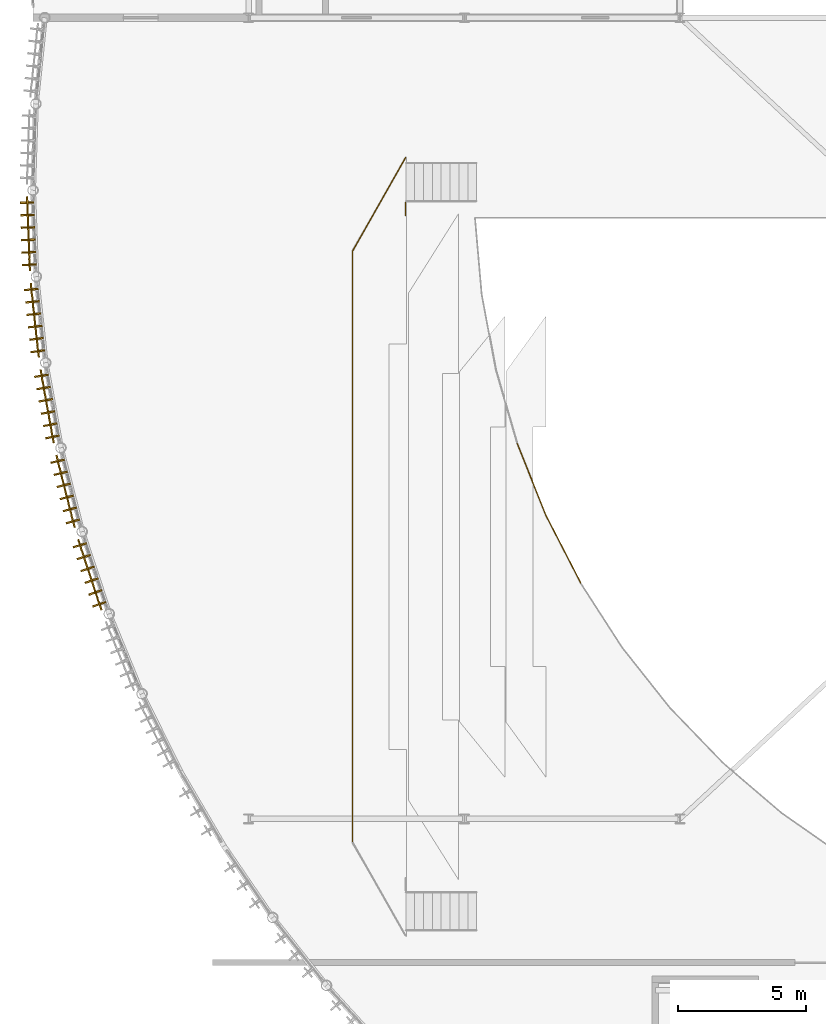
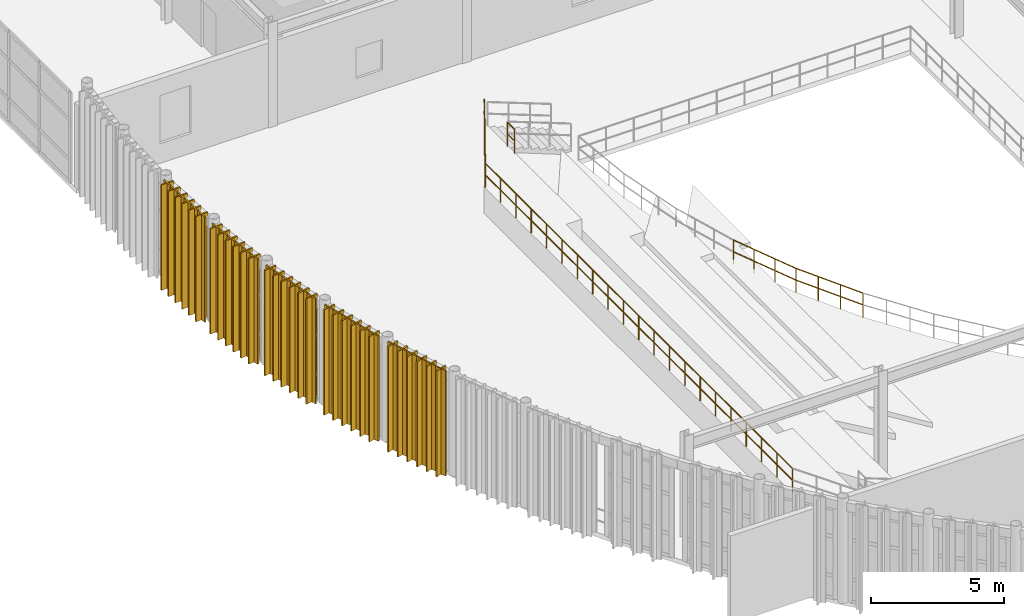
# One storey, part 109 of 116: 30 coverings, 30 shading devices, 5 railings.
"""IFC4 building model written with IfcOpenShell, lengths in metres."""

import ifcopenshell
import ifcopenshell.guid

model = None  # the IFC model being written
_history = None  # IfcOwnerHistory: only IFC2X3 demands one
_inside = {}  # id of a spatial element -> (the spatial element, [elements in it])
_under = {}  # id of a project, library or spatial element -> (it, [spatial elements below it])
_declared = {}  # id of a project -> (the project, [libraries it declares])
_typed = {}  # id of a type object -> (the type object, [elements of that type])
_made_of = {}  # id of a material, layer set ... -> (it, [elements and type objects made of it])


def new_model(schema):
    """Start an empty IFC model of exactly this schema.

    Asked for "IFC4X3", IfcOpenShell would pick the latest addendum, in which some entities
    have other attributes; the version numbers below select the first issue.
    IFC2X3 requires an IfcOwnerHistory on every rooted entity: one is made here for all.
    """
    global model, _history
    if schema == "IFC4X3":
        model = ifcopenshell.file(schema_version=(4, 3, 0, 0))
    else:
        model = ifcopenshell.file(schema=schema)
    _inside.clear()
    _under.clear()
    _declared.clear()
    _typed.clear()
    _made_of.clear()
    _history = None
    if model.schema == "IFC2X3":
        org = make("IfcOrganization", Name="unknown")
        user = make(
            "IfcPersonAndOrganization",
            ThePerson=make("IfcPerson", FamilyName="unknown"),
            TheOrganization=org,
        )
        app = make(
            "IfcApplication",
            ApplicationDeveloper=org,
            Version="unknown",
            ApplicationFullName="unknown",
            ApplicationIdentifier="unknown",
        )
        _history = make(
            "IfcOwnerHistory",
            OwningUser=user,
            OwningApplication=app,
            ChangeAction="ADDED",
            CreationDate=0,
        )
    return model


def make(cls, **values):
    """One entity of the class cls with the attributes given. An attribute that is None is left unset."""
    return model.create_entity(
        cls, **{name: value for name, value in values.items() if value is not None}
    )


def rooted(cls, **values):
    """An entity with a GlobalId (a new one), such as an element, a storey or a relation."""
    return make(cls, GlobalId=ifcopenshell.guid.new(), OwnerHistory=_history, **values)


def si_unit(unit_type, name, prefix=None):
    """IfcSIUnit, for example si_unit("LENGTHUNIT", "METRE", prefix="MILLI")."""
    return make("IfcSIUnit", UnitType=unit_type, Prefix=prefix, Name=name)


def assignment(units):
    """IfcUnitAssignment: the units of a project."""
    return None if units is None else make("IfcUnitAssignment", Units=units)


def point(xyz):
    """IfcCartesianPoint."""
    return None if xyz is None else make("IfcCartesianPoint", Coordinates=xyz)


def direction(xyz):
    """IfcDirection."""
    return None if xyz is None else make("IfcDirection", DirectionRatios=xyz)


def frame(location, z_axis=None, x_axis=None):
    """IfcAxis2Placement3D, a coordinate frame: its origin and axes. An axis left out is left unset."""
    return make(
        "IfcAxis2Placement3D",
        Location=point(location),
        Axis=direction(z_axis),
        RefDirection=direction(x_axis),
    )


def frame_2d(location, x_axis=None):
    """IfcAxis2Placement2D, a coordinate frame in the plane: its origin and x axis."""
    return make(
        "IfcAxis2Placement2D", Location=point(location), RefDirection=direction(x_axis)
    )


def origin():
    """The frame at (0, 0, 0) with its axes left unset."""
    return frame((0.0, 0.0, 0.0))


def origin_2d():
    """The frame at (0, 0) in the plane with its x axis left unset."""
    return frame_2d((0.0, 0.0))


def place(relative_to, where):
    """IfcLocalPlacement: puts the frame where relative to a parent placement (None: the world)."""
    return make(
        "IfcLocalPlacement", PlacementRelTo=relative_to, RelativePlacement=where
    )


def context(
    kind, dimensions, precision=None, world=None, true_north=None, identifier=None
):
    """IfcGeometricRepresentationContext, for example the 3D "Model" context."""
    return make(
        "IfcGeometricRepresentationContext",
        ContextIdentifier=identifier,
        ContextType=kind,
        CoordinateSpaceDimension=dimensions,
        Precision=precision,
        WorldCoordinateSystem=world,
        TrueNorth=true_north,
    )


def subcontext(parent, identifier, kind, view, scale=None):
    """IfcGeometricRepresentationSubContext, for example "Body" below "Model"."""
    return make(
        "IfcGeometricRepresentationSubContext",
        ContextIdentifier=identifier,
        ContextType=kind,
        ParentContext=parent,
        TargetScale=scale,
        TargetView=view,
    )


def project(units=None, contexts=None):
    """IfcProject with its units and contexts."""
    return rooted(
        "IfcProject",
        Name="project",
        RepresentationContexts=contexts,
        UnitsInContext=assignment(units),
    )


def spatial(cls, under=None, at=None, **own):
    """A site, building, storey or space (cls), placed at a placement, below another one or the project."""
    s = rooted(cls, ObjectPlacement=at, **own)
    if under is not None:
        _under.setdefault(under.id(), (under, []))[1].append(s)
    return s


def polyline(points):
    """IfcPolyline through the points."""
    return make("IfcPolyline", Points=[point(p) for p in points])


def profile(cls, at=None, kind="AREA", **sizes):
    """A parametric profile (cls). Its sizes go by their IFC names, for example OverallWidth=200.0."""
    return make(cls, ProfileType=kind, Position=at, **sizes)


def rectangle(**sizes):
    """IfcRectangleProfileDef."""
    return profile("IfcRectangleProfileDef", **sizes)


def circle(**sizes):
    """IfcCircleProfileDef."""
    return profile("IfcCircleProfileDef", **sizes)


def outline(outer, holes=None, kind="AREA"):
    """IfcArbitraryClosedProfileDef: a profile drawn as a closed curve; with holes, ...WithVoids."""
    if holes is None:
        return make("IfcArbitraryClosedProfileDef", ProfileType=kind, OuterCurve=outer)
    return make(
        "IfcArbitraryProfileDefWithVoids",
        ProfileType=kind,
        OuterCurve=outer,
        InnerCurves=holes,
    )


def extrude(swept, where, along, depth):
    """IfcExtrudedAreaSolid: the profile swept, set in the frame where, extruded along a direction by depth."""
    return make(
        "IfcExtrudedAreaSolid",
        SweptArea=swept,
        Position=where,
        ExtrudedDirection=direction(along),
        Depth=depth,
    )


def shape(context_of_items, identifier, shape_type, items):
    """IfcShapeRepresentation: the items that make up one representation, for example the "Body"."""
    return make(
        "IfcShapeRepresentation",
        ContextOfItems=context_of_items,
        RepresentationIdentifier=identifier,
        RepresentationType=shape_type,
        Items=items,
    )


def material(Name=None, Category=None):
    """IfcMaterial."""
    return make("IfcMaterial", Name=Name, Category=Category)


def layer(
    of_material, thickness, ventilated=None, Name=None, Category=None, Priority=None
):
    """IfcMaterialLayer: one layer of a wall or slab, of a material (None: an air gap)."""
    return make(
        "IfcMaterialLayer",
        Material=of_material,
        LayerThickness=thickness,
        IsVentilated=ventilated,
        Name=Name,
        Category=Category,
        Priority=Priority,
    )


def layer_set(layers, Name=None):
    """IfcMaterialLayerSet."""
    return make("IfcMaterialLayerSet", MaterialLayers=layers, LayerSetName=Name)


def material_profile(
    of_material, cross_section, Name=None, Category=None, Priority=None
):
    """IfcMaterialProfile: a cross section and its material."""
    return make(
        "IfcMaterialProfile",
        Name=Name,
        Material=of_material,
        Profile=cross_section,
        Priority=Priority,
        Category=Category,
    )


def profile_set(profiles, Name=None, composite=None):
    """IfcMaterialProfileSet."""
    return make(
        "IfcMaterialProfileSet",
        Name=Name,
        MaterialProfiles=profiles,
        CompositeProfile=composite,
    )


def made_of(thing, what):
    """Note that an element or type object is made of a material, layer set ...; save() writes the relation."""
    if what is not None:
        _made_of.setdefault(what.id(), (what, []))[1].append(thing)
    return thing


def type_object(cls, material=None, **own):
    """A type object (cls), such as IfcWallType, which elements share."""
    return made_of(rooted(cls, **own), material)


def element(
    cls,
    number,
    at=None,
    inside=None,
    cuts=None,
    type_object=None,
    material=None,
    context=None,
    identifier="Body",
    shape_type=None,
    held_by="IfcProductDefinitionShape",
    body=None,
    shapes=None,
    **own,
):
    """One element of the class cls, such as IfcWall. Its Tag is "e" and its number.

    at: its placement. inside: the storey or other place that contains it. cuts: it is an
    opening in that element (IfcRelVoidsElement). A single representation is given by context,
    identifier, shape_type and body (its items); several are given by shapes. held_by: the class
    of the entity that holds the representations. save() writes the other relations.
    """
    e = rooted(cls, Tag="e%d" % number, ObjectPlacement=at, **own)
    if body is not None:
        shapes = [shape(context, identifier, shape_type, body)]
    if shapes is not None:
        e.Representation = make(held_by, Representations=shapes)
    if inside is not None:
        _inside.setdefault(inside.id(), (inside, []))[1].append(e)
    if cuts is not None:
        rooted(
            "IfcRelVoidsElement", RelatingBuildingElement=cuts, RelatedOpeningElement=e
        )
    if type_object is not None:
        _typed.setdefault(type_object.id(), (type_object, []))[1].append(e)
    return made_of(e, material)


def aggregate(whole, parts):
    """IfcRelAggregates: a whole, such as a stair, and the parts it consists of."""
    return rooted("IfcRelAggregates", RelatingObject=whole, RelatedObjects=parts)


def save(model, path):
    """Write the relations noted so far, then the file.

    IfcRelAggregates (storeys below a building ...), IfcRelContainedInSpatialStructure (elements
    in a storey), IfcRelDefinesByType, IfcRelAssociatesMaterial and IfcRelDeclares: one each for
    every whole, place, type object, material and project.
    """
    for whole, parts in _under.values():
        aggregate(whole, parts)
    for where, things in _inside.values():
        rooted(
            "IfcRelContainedInSpatialStructure",
            RelatedElements=things,
            RelatingStructure=where,
        )
    for kind, things in _typed.values():
        rooted("IfcRelDefinesByType", RelatedObjects=things, RelatingType=kind)
    for what, things in _made_of.values():
        rooted("IfcRelAssociatesMaterial", RelatedObjects=things, RelatingMaterial=what)
    for by, libraries in _declared.values():
        rooted("IfcRelDeclares", RelatingContext=by, RelatedDefinitions=libraries)
    model.write(path)


model = new_model("IFC4")

# Units and contexts
model_context = context("Model", 3, precision=1e-05, world=origin(), true_north=direction((0.0, 1.0)))
body_context = subcontext(model_context, "Body", "Model", "MODEL_VIEW")
ifc_project = project(units=[si_unit("LENGTHUNIT", "METRE"), si_unit("AREAUNIT", "SQUARE_METRE"), si_unit("VOLUMEUNIT", "CUBIC_METRE"), si_unit("PLANEANGLEUNIT", "RADIAN"), si_unit("MASSUNIT", "GRAM", prefix="KILO")], contexts=[model_context])

# Site, building, storey
site_placement = place(None, origin())
site = spatial("IfcSite", under=ifc_project, at=site_placement, CompositionType="ELEMENT")
building_placement = place(site_placement, origin())
building = spatial("IfcBuilding", under=site, at=building_placement, Name="Selat Folded Stagehouse", CompositionType="ELEMENT")
storey_placement = place(building_placement, frame((0.0, 0.0, 5.39990234375)))
storey = spatial("IfcBuildingStorey", under=building, at=storey_placement, Name="L01", CompositionType="ELEMENT", Elevation=5.39990234375)

# Coverings
ifc_material_1 = material(Name="Bronze-anodised aluminium 6063-T6", Category="aluminium")
ifc_layer_1 = layer(ifc_material_1, 0.06201171875)
ifc_layer_set_1 = layer_set([ifc_layer_1], Name="Bronze-anodised aluminium 6063-T6")
covering_type = type_object("IfcCoveringType", Name="COV-FIN-BRZ48", PredefinedType="CLADDING", material=ifc_layer_set_1)
covering_1_placement = place(storey_placement, frame((0.0, 0.0, -0.099853515625)))
element("IfcCovering", 1, at=covering_1_placement, inside=storey, type_object=covering_type, Name="L01 drum bronze fin cladding sheath 068", PredefinedType="CLADDING", context=body_context, shape_type="SweptSolid", body=[
    extrude(outline(polyline([(0.037841796875, 47.432861328125), (-0.502197265625, 47.42626953125), (-0.50146484375, 47.3623046875), (0.03857421875, 47.368896484375), (0.037841796875, 47.432861328125)])), origin(), (0.0, 0.0, 1.0), 4.820068359375),
])
covering_2_placement = place(storey_placement, frame((0.0, 0.0, -0.099853515625)))
element("IfcCovering", 2, at=covering_2_placement, inside=storey, type_object=covering_type, Name="L01 drum bronze fin cladding sheath 074", PredefinedType="CLADDING", context=body_context, shape_type="SweptSolid", body=[
    extrude(outline(polyline([(0.055419921875, 46.9521484375), (-0.484375, 46.93994140625), (-0.48291015625, 46.8759765625), (0.056884765625, 46.88818359375), (0.055419921875, 46.9521484375)])), origin(), (0.0, 0.0, 1.0), 4.820068359375),
])
covering_3_placement = place(storey_placement, frame((0.0, 0.0, -0.099853515625)))
element("IfcCovering", 3, at=covering_3_placement, inside=storey, type_object=covering_type, Name="L01 drum bronze fin cladding sheath 080", PredefinedType="CLADDING", context=body_context, shape_type="SweptSolid", body=[
    extrude(outline(polyline([(0.0732421875, 46.471435546875), (-0.46630859375, 46.453857421875), (-0.46435546875, 46.389892578125), (0.075439453125, 46.407470703125), (0.0732421875, 46.471435546875)])), origin(), (0.0, 0.0, 1.0), 4.820068359375),
])
covering_4_placement = place(storey_placement, frame((0.0, 0.0, -0.099853515625)))
element("IfcCovering", 4, at=covering_4_placement, inside=storey, type_object=covering_type, Name="L01 drum bronze fin cladding sheath 086", PredefinedType="CLADDING", context=body_context, shape_type="SweptSolid", body=[
    extrude(outline(polyline([(0.091064453125, 45.99072265625), (-0.448486328125, 45.9677734375), (-0.44580078125, 45.90380859375), (0.09375, 45.9267578125), (0.091064453125, 45.99072265625)])), origin(), (0.0, 0.0, 1.0), 4.820068359375),
])
covering_5_placement = place(storey_placement, frame((0.0, 0.0, -0.099853515625)))
element("IfcCovering", 5, at=covering_5_placement, inside=storey, type_object=covering_type, Name="L01 drum bronze fin cladding sheath 092", PredefinedType="CLADDING", context=body_context, shape_type="SweptSolid", body=[
    extrude(outline(polyline([(0.10888671875, 45.510009765625), (-0.430419921875, 45.4814453125), (-0.427001953125, 45.41748046875), (0.1123046875, 45.446044921875), (0.10888671875, 45.510009765625)])), origin(), (0.0, 0.0, 1.0), 4.820068359375),
])
covering_6_placement = place(storey_placement, frame((0.0, 0.0, -0.099853515625)))
element("IfcCovering", 6, at=covering_6_placement, inside=storey, type_object=covering_type, Name="L01 drum bronze fin cladding sheath 098", PredefinedType="CLADDING", context=body_context, shape_type="SweptSolid", body=[
    extrude(outline(polyline([(0.126708984375, 45.029052734375), (-0.412353515625, 44.995361328125), (-0.408447265625, 44.931396484375), (0.130615234375, 44.96533203125), (0.126708984375, 45.029052734375)])), origin(), (0.0, 0.0, 1.0), 4.820068359375),
])
covering_7_placement = place(storey_placement, frame((0.0, 0.0, -0.099853515625)))
element("IfcCovering", 7, at=covering_7_placement, inside=storey, type_object=covering_type, Name="L01 drum bronze fin cladding sheath 104", PredefinedType="CLADDING", context=body_context, shape_type="SweptSolid", body=[
    extrude(outline(polyline([(0.19580078125, 44.070068359375), (-0.34228515625, 44.025390625), (-0.337158203125, 43.961669921875), (0.200927734375, 44.00634765625), (0.19580078125, 44.070068359375)])), origin(), (0.0, 0.0, 1.0), 4.820068359375),
])
covering_8_placement = place(storey_placement, frame((0.0, 0.0, -0.099853515625)))
element("IfcCovering", 8, at=covering_8_placement, inside=storey, type_object=covering_type, Name="L01 drum bronze fin cladding sheath 110", PredefinedType="CLADDING", context=body_context, shape_type="SweptSolid", body=[
    extrude(outline(polyline([(0.247314453125, 43.591796875), (-0.29052734375, 43.541748046875), (-0.28466796875, 43.47802734375), (0.253173828125, 43.528076171875), (0.247314453125, 43.591796875)])), origin(), (0.0, 0.0, 1.0), 4.820068359375),
])
covering_9_placement = place(storey_placement, frame((0.0, 0.0, -0.099853515625)))
element("IfcCovering", 9, at=covering_9_placement, inside=storey, type_object=covering_type, Name="L01 drum bronze fin cladding sheath 116", PredefinedType="CLADDING", context=body_context, shape_type="SweptSolid", body=[
    extrude(outline(polyline([(0.298583984375, 43.11328125), (-0.238525390625, 43.05810546875), (-0.23193359375, 42.994384765625), (0.30517578125, 43.0498046875), (0.298583984375, 43.11328125)])), origin(), (0.0, 0.0, 1.0), 4.820068359375),
])
covering_10_placement = place(storey_placement, frame((0.0, 0.0, -0.099853515625)))
element("IfcCovering", 10, at=covering_10_placement, inside=storey, type_object=covering_type, Name="L01 drum bronze fin cladding sheath 122", PredefinedType="CLADDING", context=body_context, shape_type="SweptSolid", body=[
    extrude(outline(polyline([(0.35009765625, 42.635009765625), (-0.1865234375, 42.57421875), (-0.17919921875, 42.5107421875), (0.357421875, 42.571533203125), (0.35009765625, 42.635009765625)])), origin(), (0.0, 0.0, 1.0), 4.820068359375),
])
covering_11_placement = place(storey_placement, frame((0.0, 0.0, -0.099853515625)))
element("IfcCovering", 11, at=covering_11_placement, inside=storey, type_object=covering_type, Name="L01 drum bronze fin cladding sheath 128", PredefinedType="CLADDING", context=body_context, shape_type="SweptSolid", body=[
    extrude(outline(polyline([(0.401611328125, 42.15673828125), (-0.134521484375, 42.090576171875), (-0.126708984375, 42.027099609375), (0.4091796875, 42.09326171875), (0.401611328125, 42.15673828125)])), origin(), (0.0, 0.0, 1.0), 4.820068359375),
])
covering_12_placement = place(storey_placement, frame((0.0, 0.0, -0.099853515625)))
element("IfcCovering", 12, at=covering_12_placement, inside=storey, type_object=covering_type, Name="L01 drum bronze fin cladding sheath 134", PredefinedType="CLADDING", context=body_context, shape_type="SweptSolid", body=[
    extrude(outline(polyline([(0.452880859375, 41.678466796875), (-0.082275390625, 41.606689453125), (-0.073974609375, 41.54345703125), (0.46142578125, 41.614990234375), (0.452880859375, 41.678466796875)])), origin(), (0.0, 0.0, 1.0), 4.820068359375),
])
covering_13_placement = place(storey_placement, frame((0.0, 0.0, -0.099853515625)))
element("IfcCovering", 13, at=covering_13_placement, inside=storey, type_object=covering_type, Name="L01 drum bronze fin cladding sheath 140", PredefinedType="CLADDING", context=body_context, shape_type="SweptSolid", body=[
    extrude(outline(polyline([(0.589111328125, 40.7265625), (0.055419921875, 40.644287109375), (0.065185546875, 40.5810546875), (0.598876953125, 40.6630859375), (0.589111328125, 40.7265625)])), origin(), (0.0, 0.0, 1.0), 4.820068359375),
])
covering_14_placement = place(storey_placement, frame((0.0, 0.0, -0.099853515625)))
element("IfcCovering", 14, at=covering_14_placement, inside=storey, type_object=covering_type, Name="L01 drum bronze fin cladding sheath 146", PredefinedType="CLADDING", context=body_context, shape_type="SweptSolid", body=[
    extrude(outline(polyline([(0.674072265625, 40.2529296875), (0.14111328125, 40.165283203125), (0.151611328125, 40.102294921875), (0.684326171875, 40.189697265625), (0.674072265625, 40.2529296875)])), origin(), (0.0, 0.0, 1.0), 4.820068359375),
])
covering_15_placement = place(storey_placement, frame((0.0, 0.0, -0.099853515625)))
element("IfcCovering", 15, at=covering_15_placement, inside=storey, type_object=covering_type, Name="L01 drum bronze fin cladding sheath 152", PredefinedType="CLADDING", context=body_context, shape_type="SweptSolid", body=[
    extrude(outline(polyline([(0.7587890625, 39.779296875), (0.22705078125, 39.6865234375), (0.238037109375, 39.623291015625), (0.77001953125, 39.71630859375), (0.7587890625, 39.779296875)])), origin(), (0.0, 0.0, 1.0), 4.820068359375),
])
covering_16_placement = place(storey_placement, frame((0.0, 0.0, -0.099853515625)))
element("IfcCovering", 16, at=covering_16_placement, inside=storey, type_object=covering_type, Name="L01 drum bronze fin cladding sheath 158", PredefinedType="CLADDING", context=body_context, shape_type="SweptSolid", body=[
    extrude(outline(polyline([(0.84375, 39.305908203125), (0.312744140625, 39.20751953125), (0.324462890625, 39.144775390625), (0.85546875, 39.242919921875), (0.84375, 39.305908203125)])), origin(), (0.0, 0.0, 1.0), 4.820068359375),
])
covering_17_placement = place(storey_placement, frame((0.0, 0.0, -0.099853515625)))
element("IfcCovering", 17, at=covering_17_placement, inside=storey, type_object=covering_type, Name="L01 drum bronze fin cladding sheath 164", PredefinedType="CLADDING", context=body_context, shape_type="SweptSolid", body=[
    extrude(outline(polyline([(0.9287109375, 38.832275390625), (0.398681640625, 38.728759765625), (0.410888671875, 38.666015625), (0.94091796875, 38.76953125), (0.9287109375, 38.832275390625)])), origin(), (0.0, 0.0, 1.0), 4.820068359375),
])
covering_18_placement = place(storey_placement, frame((0.0, 0.0, -0.099853515625)))
element("IfcCovering", 18, at=covering_18_placement, inside=storey, type_object=covering_type, Name="L01 drum bronze fin cladding sheath 170", PredefinedType="CLADDING", context=body_context, shape_type="SweptSolid", body=[
    extrude(outline(polyline([(1.013427734375, 38.35888671875), (0.484619140625, 38.25), (0.497314453125, 38.187255859375), (1.0263671875, 38.296142578125), (1.013427734375, 38.35888671875)])), origin(), (0.0, 0.0, 1.0), 4.820068359375),
])
covering_19_placement = place(storey_placement, frame((0.0, 0.0, -0.099853515625)))
element("IfcCovering", 19, at=covering_19_placement, inside=storey, type_object=covering_type, Name="L01 drum bronze fin cladding sheath 176", PredefinedType="CLADDING", context=body_context, shape_type="SweptSolid", body=[
    extrude(outline(polyline([(1.216064453125, 37.418701171875), (0.689453125, 37.29931640625), (0.70361328125, 37.23681640625), (1.230224609375, 37.3564453125), (1.216064453125, 37.418701171875)])), origin(), (0.0, 0.0, 1.0), 4.820068359375),
])
covering_20_placement = place(storey_placement, frame((0.0, 0.0, -0.099853515625)))
element("IfcCovering", 20, at=covering_20_placement, inside=storey, type_object=covering_type, Name="L01 drum bronze fin cladding sheath 182", PredefinedType="CLADDING", context=body_context, shape_type="SweptSolid", body=[
    extrude(outline(polyline([(1.333984375, 36.952392578125), (0.80859375, 36.82763671875), (0.823486328125, 36.765380859375), (1.348876953125, 36.89013671875), (1.333984375, 36.952392578125)])), origin(), (0.0, 0.0, 1.0), 4.820068359375),
])
covering_21_placement = place(storey_placement, frame((0.0, 0.0, -0.099853515625)))
element("IfcCovering", 21, at=covering_21_placement, inside=storey, type_object=covering_type, Name="L01 drum bronze fin cladding sheath 188", PredefinedType="CLADDING", context=body_context, shape_type="SweptSolid", body=[
    extrude(outline(polyline([(1.451904296875, 36.48583984375), (0.927734375, 36.35595703125), (0.943115234375, 36.293701171875), (1.46728515625, 36.423828125), (1.451904296875, 36.48583984375)])), origin(), (0.0, 0.0, 1.0), 4.820068359375),
])
covering_22_placement = place(storey_placement, frame((0.0, 0.0, -0.099853515625)))
element("IfcCovering", 22, at=covering_22_placement, inside=storey, type_object=covering_type, Name="L01 drum bronze fin cladding sheath 194", PredefinedType="CLADDING", context=body_context, shape_type="SweptSolid", body=[
    extrude(outline(polyline([(1.569580078125, 36.01953125), (1.046875, 35.88427734375), (1.06298828125, 35.822265625), (1.585693359375, 35.95751953125), (1.569580078125, 36.01953125)])), origin(), (0.0, 0.0, 1.0), 4.820068359375),
])
covering_23_placement = place(storey_placement, frame((0.0, 0.0, -0.099853515625)))
element("IfcCovering", 23, at=covering_23_placement, inside=storey, type_object=covering_type, Name="L01 drum bronze fin cladding sheath 200", PredefinedType="CLADDING", context=body_context, shape_type="SweptSolid", body=[
    extrude(outline(polyline([(1.6875, 35.552978515625), (1.166259765625, 35.41259765625), (1.182861328125, 35.350830078125), (1.7041015625, 35.4912109375), (1.6875, 35.552978515625)])), origin(), (0.0, 0.0, 1.0), 4.820068359375),
])
covering_24_placement = place(storey_placement, frame((0.0, 0.0, -0.099853515625)))
element("IfcCovering", 24, at=covering_24_placement, inside=storey, type_object=covering_type, Name="L01 drum bronze fin cladding sheath 206", PredefinedType="CLADDING", context=body_context, shape_type="SweptSolid", body=[
    extrude(outline(polyline([(1.805419921875, 35.086669921875), (1.285400390625, 34.94091796875), (1.302734375, 34.87939453125), (1.82275390625, 35.02490234375), (1.805419921875, 35.086669921875)])), origin(), (0.0, 0.0, 1.0), 4.820068359375),
])
covering_25_placement = place(storey_placement, frame((0.0, 0.0, -0.099853515625)))
element("IfcCovering", 25, at=covering_25_placement, inside=storey, type_object=covering_type, Name="L01 drum bronze fin cladding sheath 212", PredefinedType="CLADDING", context=body_context, shape_type="SweptSolid", body=[
    extrude(outline(polyline([(2.073486328125, 34.1630859375), (1.556640625, 34.007080078125), (1.5751953125, 33.94580078125), (2.092041015625, 34.101806640625), (2.073486328125, 34.1630859375)])), origin(), (0.0, 0.0, 1.0), 4.820068359375),
])
covering_26_placement = place(storey_placement, frame((0.0, 0.0, -0.099853515625)))
element("IfcCovering", 26, at=covering_26_placement, inside=storey, type_object=covering_type, Name="L01 drum bronze fin cladding sheath 218", PredefinedType="CLADDING", context=body_context, shape_type="SweptSolid", body=[
    extrude(outline(polyline([(2.223876953125, 33.706298828125), (1.70849609375, 33.544921875), (1.7275390625, 33.48388671875), (2.242919921875, 33.64501953125), (2.223876953125, 33.706298828125)])), origin(), (0.0, 0.0, 1.0), 4.820068359375),
])
covering_27_placement = place(storey_placement, frame((0.0, 0.0, -0.099853515625)))
element("IfcCovering", 27, at=covering_27_placement, inside=storey, type_object=covering_type, Name="L01 drum bronze fin cladding sheath 224", PredefinedType="CLADDING", context=body_context, shape_type="SweptSolid", body=[
    extrude(outline(polyline([(2.3740234375, 33.249267578125), (1.8603515625, 33.082763671875), (1.880126953125, 33.02197265625), (2.393798828125, 33.188232421875), (2.3740234375, 33.249267578125)])), origin(), (0.0, 0.0, 1.0), 4.820068359375),
])
covering_28_placement = place(storey_placement, frame((0.0, 0.0, -0.099853515625)))
element("IfcCovering", 28, at=covering_28_placement, inside=storey, type_object=covering_type, Name="L01 drum bronze fin cladding sheath 230", PredefinedType="CLADDING", context=body_context, shape_type="SweptSolid", body=[
    extrude(outline(polyline([(2.5244140625, 32.792236328125), (2.012451171875, 32.62060546875), (2.03271484375, 32.559814453125), (2.544921875, 32.7314453125), (2.5244140625, 32.792236328125)])), origin(), (0.0, 0.0, 1.0), 4.820068359375),
])
covering_29_placement = place(storey_placement, frame((0.0, 0.0, -0.099853515625)))
element("IfcCovering", 29, at=covering_29_placement, inside=storey, type_object=covering_type, Name="L01 drum bronze fin cladding sheath 236", PredefinedType="CLADDING", context=body_context, shape_type="SweptSolid", body=[
    extrude(outline(polyline([(2.6748046875, 32.335205078125), (2.16455078125, 32.158447265625), (2.185302734375, 32.097900390625), (2.69580078125, 32.274658203125), (2.6748046875, 32.335205078125)])), origin(), (0.0, 0.0, 1.0), 4.820068359375),
])
covering_30_placement = place(storey_placement, frame((0.0, 0.0, -0.099853515625)))
element("IfcCovering", 30, at=covering_30_placement, inside=storey, type_object=covering_type, Name="L01 drum bronze fin cladding sheath 242", PredefinedType="CLADDING", context=body_context, shape_type="SweptSolid", body=[
    extrude(outline(polyline([(2.824951171875, 31.878173828125), (2.31640625, 31.6962890625), (2.338134765625, 31.635986328125), (2.8466796875, 31.81787109375), (2.824951171875, 31.878173828125)])), origin(), (0.0, 0.0, 1.0), 4.820068359375),
])

# Railings
ifc_material_2 = material(Name="Bronze-anodised steel balustrade", Category="steel")
ifc_layer_2 = layer(ifc_material_2, 0.06494140625)
ifc_layer_set_2 = layer_set([ifc_layer_2], Name="Bronze-anodised steel balustrade")
railing_type = type_object("IfcRailingType", Name="RLG-BAL-1120", PredefinedType="BALUSTRADE", material=ifc_layer_set_2)
railing_1_placement = place(storey_placement, frame((12.449951171875, 22.486083984375, 1.215087890625)))
element("IfcRailing", 31, at=railing_1_placement, inside=storey, type_object=railing_type, Name="L01 protective guard railing 017", PredefinedType="BALUSTRADE", context=body_context, shape_type="SweptSolid", body=[
    extrude(circle(Radius=0.02392578125, at=origin_2d()), frame((0.0, 0.0, 1.09619140625), z_axis=(0.0, 1.0, 0.0), x_axis=(-1.0, 0.0, 0.0)), (0.0, 0.0, 1.0), 23.02783203125),
    extrude(circle(Radius=0.02392578125, at=origin_2d()), frame((0.0, 0.0, 0.56005859375), z_axis=(0.0, 1.0, 0.0), x_axis=(-1.0, 0.0, 0.0)), (0.0, 0.0, 1.0), 23.02783203125),
    extrude(circle(Radius=0.02099609375, at=origin_2d()), origin(), (0.0, 0.0, 1.0), 1.072021484375),
    extrude(circle(Radius=0.02099609375, at=origin_2d()), frame((0.0, 1.1513671875, 0.0)), (0.0, 0.0, 1.0), 1.072021484375),
    extrude(circle(Radius=0.02099609375, at=origin_2d()), frame((0.0, 2.302734375, 0.0)), (0.0, 0.0, 1.0), 1.072021484375),
    extrude(circle(Radius=0.02099609375, at=origin_2d()), frame((0.0, 3.4541015625, 0.0)), (0.0, 0.0, 1.0), 1.072021484375),
    extrude(circle(Radius=0.02099609375, at=origin_2d()), frame((0.0, 4.60546875, 0.0)), (0.0, 0.0, 1.0), 1.072021484375),
    extrude(circle(Radius=0.02099609375, at=origin_2d()), frame((0.0, 5.7568359375, 0.0)), (0.0, 0.0, 1.0), 1.072021484375),
    extrude(circle(Radius=0.02099609375, at=origin_2d()), frame((0.0, 6.908447265625, 0.0)), (0.0, 0.0, 1.0), 1.072021484375),
    extrude(circle(Radius=0.02099609375, at=origin_2d()), frame((0.0, 8.059814453125, 0.0)), (0.0, 0.0, 1.0), 1.072021484375),
    extrude(circle(Radius=0.02099609375, at=origin_2d()), frame((0.0, 9.211181640625, 0.0)), (0.0, 0.0, 1.0), 1.072021484375),
    extrude(circle(Radius=0.02099609375, at=origin_2d()), frame((0.0, 10.362548828125, 0.0)), (0.0, 0.0, 1.0), 1.072021484375),
    extrude(circle(Radius=0.02099609375, at=origin_2d()), frame((0.0, 11.513916015625, 0.0)), (0.0, 0.0, 1.0), 1.072021484375),
    extrude(circle(Radius=0.02099609375, at=origin_2d()), frame((0.0, 12.665283203125, 0.0)), (0.0, 0.0, 1.0), 1.072021484375),
    extrude(circle(Radius=0.02099609375, at=origin_2d()), frame((0.0, 13.816650390625, 0.0)), (0.0, 0.0, 1.0), 1.072021484375),
    extrude(circle(Radius=0.02099609375, at=origin_2d()), frame((0.0, 14.968017578125, 0.0)), (0.0, 0.0, 1.0), 1.072021484375),
    extrude(circle(Radius=0.02099609375, at=origin_2d()), frame((0.0, 16.119384765625, 0.0)), (0.0, 0.0, 1.0), 1.072021484375),
    extrude(circle(Radius=0.02099609375, at=origin_2d()), frame((0.0, 17.27099609375, 0.0)), (0.0, 0.0, 1.0), 1.072021484375),
    extrude(circle(Radius=0.02099609375, at=origin_2d()), frame((0.0, 18.42236328125, 0.0)), (0.0, 0.0, 1.0), 1.072021484375),
    extrude(circle(Radius=0.02099609375, at=origin_2d()), frame((0.0, 19.57373046875, 0.0)), (0.0, 0.0, 1.0), 1.072021484375),
    extrude(circle(Radius=0.02099609375, at=origin_2d()), frame((0.0, 20.72509765625, 0.0)), (0.0, 0.0, 1.0), 1.072021484375),
    extrude(circle(Radius=0.02099609375, at=origin_2d()), frame((0.0, 21.87646484375, 0.0)), (0.0, 0.0, 1.0), 1.072021484375),
    extrude(circle(Radius=0.02099609375, at=origin_2d()), frame((0.0, 23.02783203125, 0.0)), (0.0, 0.0, 1.0), 1.072021484375),
])
railing_2_placement = place(storey_placement, frame((12.449951171875, 45.513916015625, 1.215087890625)))
element("IfcRailing", 32, at=railing_2_placement, inside=storey, type_object=railing_type, Name="L01 protective guard railing 018", PredefinedType="BALUSTRADE", context=body_context, shape_type="SweptSolid", body=[
    extrude(circle(Radius=0.02392578125, at=origin_2d()), frame((0.0, 0.0, 1.09619140625), z_axis=(0.492952135797, 0.870056430247, 0.0), x_axis=(-0.870056430247, 0.492952135797, 0.0)), (0.0, 0.0, 1.0), 4.178955078125),
    extrude(circle(Radius=0.02392578125, at=origin_2d()), frame((0.0, 0.0, 0.56005859375), z_axis=(0.492952135797, 0.870056430247, 0.0), x_axis=(-0.870056430247, 0.492952135797, 0.0)), (0.0, 0.0, 1.0), 4.178955078125),
    extrude(circle(Radius=0.02099609375, at=origin_2d()), origin(), (0.0, 0.0, 1.0), 1.072021484375),
    extrude(circle(Radius=0.02099609375, at=origin_2d()), frame((0.51513671875, 0.908935546875, 0.0)), (0.0, 0.0, 1.0), 1.072021484375),
    extrude(circle(Radius=0.02099609375, at=origin_2d()), frame((1.030029296875, 1.81787109375, 0.0)), (0.0, 0.0, 1.0), 1.072021484375),
    extrude(circle(Radius=0.02099609375, at=origin_2d()), frame((1.544921875, 2.72705078125, 0.0)), (0.0, 0.0, 1.0), 1.072021484375),
    extrude(circle(Radius=0.02099609375, at=origin_2d()), frame((2.06005859375, 3.635986328125, 0.0)), (0.0, 0.0, 1.0), 1.072021484375),
])
railing_3_placement = place(storey_placement, frame((14.510009765625, 46.89990234375, 1.215087890625)))
element("IfcRailing", 33, at=railing_3_placement, inside=storey, type_object=railing_type, Name="L01 protective guard railing 020", PredefinedType="BALUSTRADE", context=body_context, shape_type="SweptSolid", body=[
    extrude(circle(Radius=0.02392578125, at=origin_2d()), frame((0.0, 0.0, 1.09619140625), z_axis=(0.0, 1.0, 0.0), x_axis=(-1.0, 0.0, 0.0)), (0.0, 0.0, 1.0), 0.5),
    extrude(circle(Radius=0.02392578125, at=origin_2d()), frame((0.0, 0.0, 0.56005859375), z_axis=(0.0, 1.0, 0.0), x_axis=(-1.0, 0.0, 0.0)), (0.0, 0.0, 1.0), 0.5),
    extrude(circle(Radius=0.02099609375, at=origin_2d()), origin(), (0.0, 0.0, 1.0), 1.072021484375),
    extrude(circle(Radius=0.02099609375, at=origin_2d()), frame((0.0, 0.5, 0.0)), (0.0, 0.0, 1.0), 1.072021484375),
])
railing_4_placement = place(storey_placement, frame((21.334716796875, 32.5859375, 0.0)))
element("IfcRailing", 34, at=railing_4_placement, inside=storey, type_object=railing_type, Name="L01 protective guard railing 080", PredefinedType="BALUSTRADE", context=body_context, shape_type="SweptSolid", body=[
    extrude(circle(Radius=0.02392578125, at=origin_2d()), frame((0.0, 0.0, 1.09619140625), z_axis=(-0.457903746523, 0.889001776669, 0.0), x_axis=(-0.889001776669, -0.457903746523, 0.0)), (0.0, 0.0, 1.0), 2.9873046875),
    extrude(circle(Radius=0.02392578125, at=origin_2d()), frame((0.0, 0.0, 0.56005859375), z_axis=(-0.457903746523, 0.889001776669, 0.0), x_axis=(-0.889001776669, -0.457903746523, 0.0)), (0.0, 0.0, 1.0), 2.9873046875),
    extrude(circle(Radius=0.02099609375, at=origin_2d()), origin(), (0.0, 0.0, 1.0), 1.072021484375),
    extrude(circle(Radius=0.02099609375, at=origin_2d()), frame((-0.4560546875, 0.88525390625, 0.0)), (0.0, 0.0, 1.0), 1.072021484375),
    extrude(circle(Radius=0.02099609375, at=origin_2d()), frame((-0.911865234375, 1.7705078125, 0.0)), (0.0, 0.0, 1.0), 1.072021484375),
    extrude(circle(Radius=0.02099609375, at=origin_2d()), frame((-1.367919921875, 2.65576171875, 0.0)), (0.0, 0.0, 1.0), 1.072021484375),
])
railing_5_placement = place(storey_placement, frame((19.966796875, 35.24169921875, 0.0)))
element("IfcRailing", 35, at=railing_5_placement, inside=storey, type_object=railing_type, Name="L01 protective guard railing 081", PredefinedType="BALUSTRADE", context=body_context, shape_type="SweptSolid", body=[
    extrude(circle(Radius=0.02392578125, at=origin_2d()), frame((0.0, 0.0, 1.09619140625), z_axis=(-0.36962875744, 0.929179520692, 0.0), x_axis=(-0.929179520692, -0.36962875744, 0.0)), (0.0, 0.0, 1.0), 2.987548828125),
    extrude(circle(Radius=0.02392578125, at=origin_2d()), frame((0.0, 0.0, 0.56005859375), z_axis=(-0.36962875744, 0.929179520692, 0.0), x_axis=(-0.929179520692, -0.36962875744, 0.0)), (0.0, 0.0, 1.0), 2.987548828125),
    extrude(circle(Radius=0.02099609375, at=origin_2d()), origin(), (0.0, 0.0, 1.0), 1.072021484375),
    extrude(circle(Radius=0.02099609375, at=origin_2d()), frame((-0.3681640625, 0.92529296875, 0.0)), (0.0, 0.0, 1.0), 1.072021484375),
    extrude(circle(Radius=0.02099609375, at=origin_2d()), frame((-0.736083984375, 1.8505859375, 0.0)), (0.0, 0.0, 1.0), 1.072021484375),
    extrude(circle(Radius=0.02099609375, at=origin_2d()), frame((-1.104248046875, 2.77587890625, 0.0)), (0.0, 0.0, 1.0), 1.072021484375),
])

# Shading devices
ifc_material_profile = material_profile(ifc_material_1, rectangle(XDim=0.06005859375, YDim=0.47998046875, at=origin_2d()), Name="SOLAR-FIN 480x60")
ifc_profile_set = profile_set([ifc_material_profile], Name="Bronze-anodised aluminium 6063-T6")
shading_device_type = type_object("IfcShadingDeviceType", Name="SHD-FIN-480x60", PredefinedType="USERDEFINED", material=ifc_profile_set)
for number, where, z_axis, x_axis, name in (
    (36, (-0.2216796875, 47.397705078125, -0.099853515625), (0.0, 0.0, 1.0), (-0.999921044204, -0.012566039883, 0.0), "L01 drum vertical bronze solar fin 068"),
    (37, (-0.20361328125, 46.914306640625, -0.099853515625), (0.0, 0.0, 1.0), (-0.999746553782, -0.022512845226, 0.0), "L01 drum vertical bronze solar fin 074"),
    (38, (-0.185546875, 46.430908203125, -0.099853515625), (0.0, 0.0, 1.0), (-0.999467438949, -0.032631862958, 0.0), "L01 drum vertical bronze solar fin 080"),
    (39, (-0.167236328125, 45.947509765625, -0.099853515625), (0.0, 0.0, 1.0), (-0.9990933519, -0.042573162788, 0.0), "L01 drum vertical bronze solar fin 086"),
    (40, (-0.149169921875, 45.46435546875, -0.099853515625), (0.0, 0.0, 1.0), (-0.998620385197, -0.052510249179, 0.0), "L01 drum vertical bronze solar fin 092"),
    (41, (-0.130859375, 44.98095703125, -0.099853515625), (0.0, 0.0, 1.0), (-0.99803767224, -0.06261633005, 0.0), "L01 drum vertical bronze solar fin 098"),
    (42, (-0.060791015625, 44.0166015625, -0.099853515625), (0.0, 0.0, 1.0), (-0.996579940078, -0.08263427276, 0.0), "L01 drum vertical bronze solar fin 104"),
    (43, (-0.0087890625, 43.535888671875, -0.099853515625), (0.0, 0.0, 1.0), (-0.99570856131, -0.092544372783, 0.0), "L01 drum vertical bronze solar fin 110"),
    (44, (0.043212890625, 43.054931640625, -0.099853515625), (0.0, 0.0, 1.0), (-0.994720742649, -0.10261892683, 0.0), "L01 drum vertical bronze solar fin 116"),
    (45, (0.09521484375, 42.573974609375, -0.099853515625), (0.0, 0.0, 1.0), (-0.993650644295, -0.112509542228, 0.0), "L01 drum vertical bronze solar fin 122"),
    (46, (0.1474609375, 42.093017578125, -0.099853515625), (0.0, 0.0, 1.0), (-0.992460828919, -0.122562241583, 0.0), "L01 drum vertical bronze solar fin 128"),
    (47, (0.199462890625, 41.6123046875, -0.099853515625), (0.0, 0.0, 1.0), (-0.99119244206, -0.13242938799, 0.0), "L01 drum vertical bronze solar fin 134"),
    (48, (0.337158203125, 40.6552734375, -0.099853515625), (0.0, 0.0, 1.0), (-0.988334944875, -0.152295885498, 0.0), "L01 drum vertical bronze solar fin 140"),
    (49, (0.422607421875, 40.17919921875, -0.099853515625), (0.0, 0.0, 1.0), (-0.986770965572, -0.162120515372, 0.0), "L01 drum vertical bronze solar fin 146"),
    (50, (0.50830078125, 39.703125, -0.099853515625), (0.0, 0.0, 1.0), (-0.985079303862, -0.172101031672, 0.0), "L01 drum vertical bronze solar fin 152"),
    (51, (0.593994140625, 39.22705078125, -0.099853515625), (0.0, 0.0, 1.0), (-0.983318459858, -0.181892293686, 0.0), "L01 drum vertical bronze solar fin 158"),
    (52, (0.6796875, 38.7509765625, -0.099853515625), (0.0, 0.0, 1.0), (-0.981426830534, -0.191836848149, 0.0), "L01 drum vertical bronze solar fin 164"),
    (53, (0.76513671875, 38.27490234375, -0.099853515625), (0.0, 0.0, 1.0), (-0.979469831173, -0.20159079796, 0.0), "L01 drum vertical bronze solar fin 170"),
    (54, (0.9697265625, 37.330078125, -0.099853515625), (0.0, 0.0, 1.0), (-0.975226629909, -0.22120809279, 0.0), "L01 drum vertical bronze solar fin 176"),
    (55, (1.08837890625, 36.861083984375, -0.099853515625), (0.0, 0.0, 1.0), (-0.972937431695, -0.231068721395, 0.0), "L01 drum vertical bronze solar fin 182"),
    (56, (1.207275390625, 36.392333984375, -0.099853515625), (0.0, 0.0, 1.0), (-0.970590565411, -0.240736275485, 0.0), "L01 drum vertical bronze solar fin 188"),
    (57, (1.325927734375, 35.92333984375, -0.099853515625), (0.0, 0.0, 1.0), (-0.968103926078, -0.25054897388, 0.0), "L01 drum vertical bronze solar fin 194"),
    (58, (1.44482421875, 35.45458984375, -0.099853515625), (0.0, 0.0, 1.0), (-0.965563505285, -0.260167479254, 0.0), "L01 drum vertical bronze solar fin 200"),
    (59, (1.563720703125, 34.985595703125, -0.099853515625), (0.0, 0.0, 1.0), (-0.962880426559, -0.26992829446, 0.0), "L01 drum vertical bronze solar fin 206"),
    (60, (1.833984375, 34.057373046875, -0.099853515625), (0.0, 0.0, 1.0), (-0.957319497532, -0.289031796944, 0.0), "L01 drum vertical bronze solar fin 212"),
    (61, (1.9853515625, 33.597900390625, -0.099853515625), (0.0, 0.0, 1.0), (-0.954344655307, -0.298707681332, 0.0), "L01 drum vertical bronze solar fin 218"),
    (62, (2.13671875, 33.138671875, -0.099853515625), (0.0, 0.0, 1.0), (-0.951325822325, -0.308186923436, 0.0), "L01 drum vertical bronze solar fin 224"),
    (63, (2.2880859375, 32.67919921875, -0.099853515625), (0.0, 0.0, 1.0), (-0.94815738489, -0.317801153992, 0.0), "L01 drum vertical bronze solar fin 230"),
    (64, (2.439453125, 32.219970703125, -0.099853515625), (0.0, 0.0, 1.0), (-0.944948912158, -0.327217898979, 0.0), "L01 drum vertical bronze solar fin 236"),
    (65, (2.591064453125, 31.760498046875, -0.099853515625), (0.0, 0.0, 1.0), (-0.941588155895, -0.336766602676, 0.0), "L01 drum vertical bronze solar fin 242"),
):
    element("IfcShadingDevice", number, at=place(storey_placement, frame(where, z_axis=z_axis, x_axis=x_axis)), inside=storey, type_object=shading_device_type, Name=name, ObjectType="FIN", PredefinedType="USERDEFINED", context=body_context, shape_type="SweptSolid", body=[
        extrude(rectangle(XDim=0.06005859375, YDim=0.47998046875, at=origin_2d()), origin(), (0.0, 0.0, 1.0), 4.820068359375),
    ])

save(model, "model.ifc")
